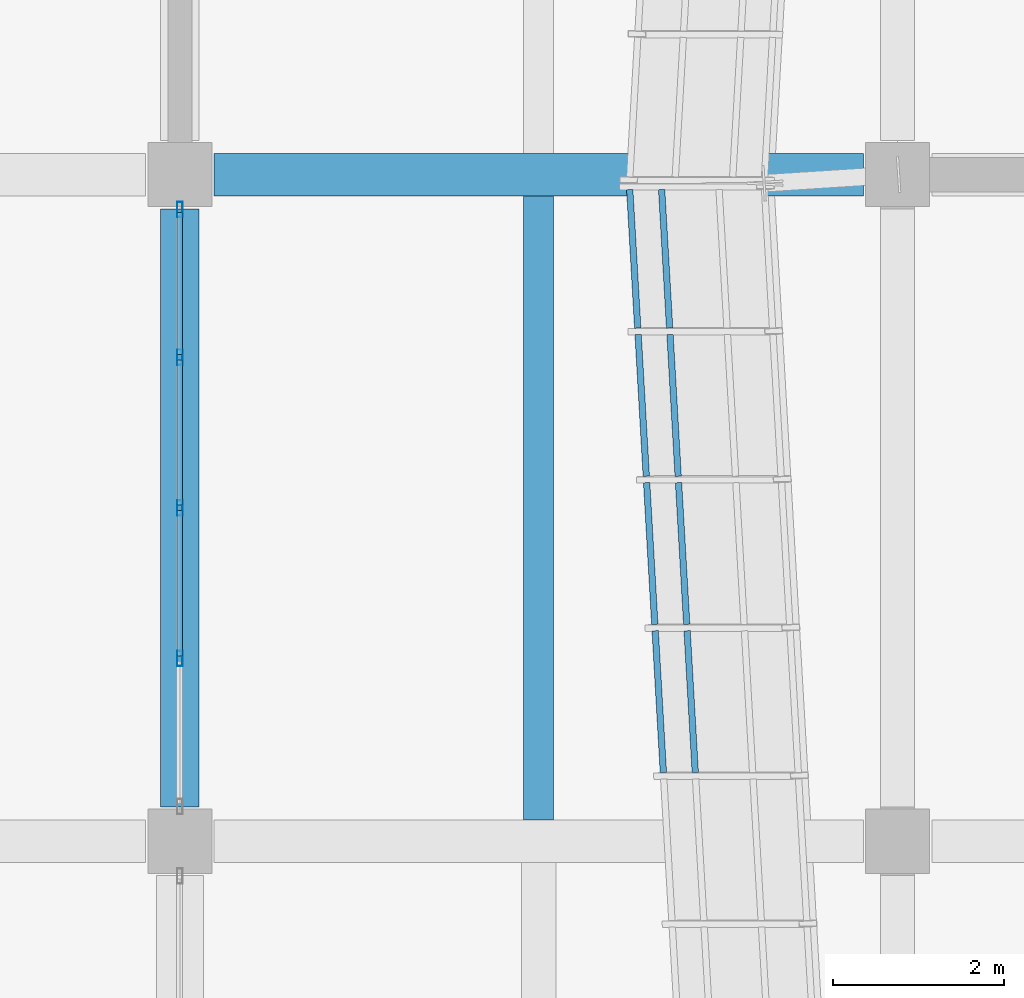
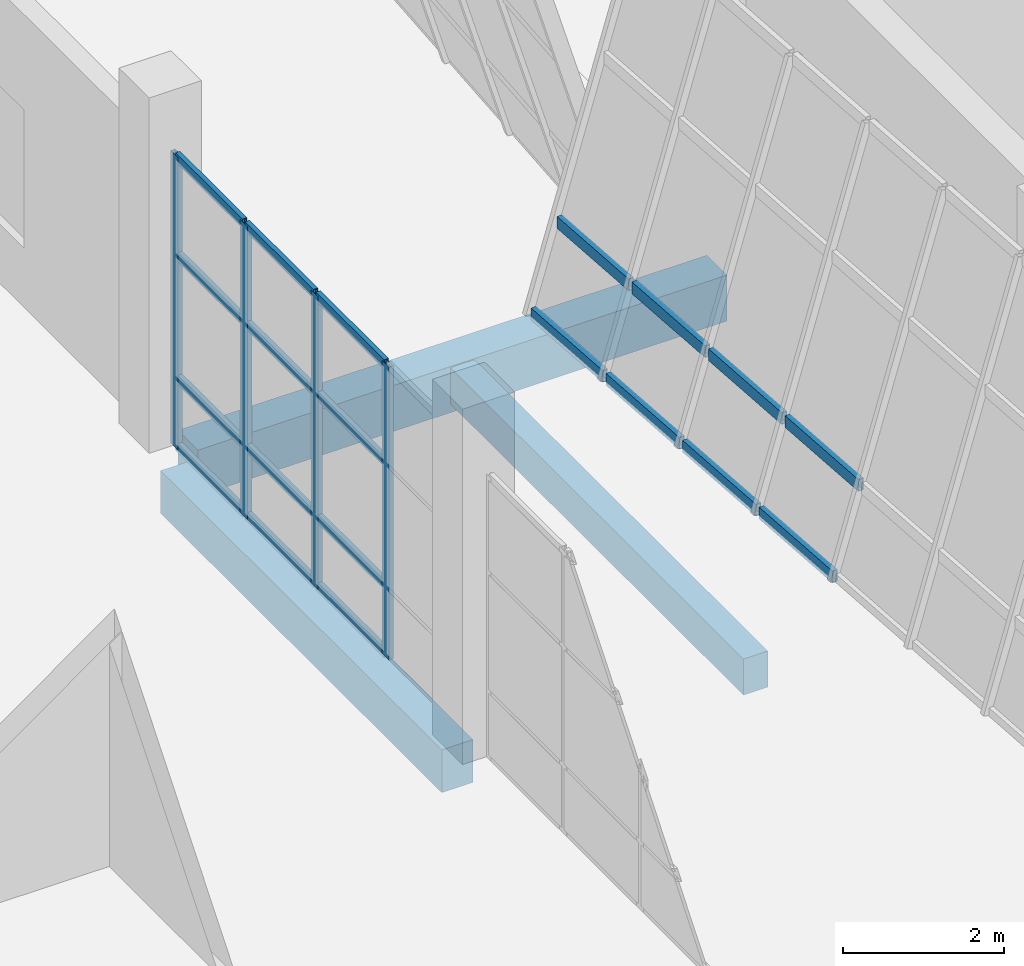
# One storey, part 20 of 78: 24 members, 3 beams, 2 elements without a shape of their own.
"""IFC4 building model written with IfcOpenShell, lengths in metres."""

import ifcopenshell
import ifcopenshell.guid

model = None  # the IFC model being written
_history = None  # IfcOwnerHistory: only IFC2X3 demands one
_inside = {}  # id of a spatial element -> (the spatial element, [elements in it])
_under = {}  # id of a project, library or spatial element -> (it, [spatial elements below it])
_declared = {}  # id of a project -> (the project, [libraries it declares])
_typed = {}  # id of a type object -> (the type object, [elements of that type])
_made_of = {}  # id of a material, layer set ... -> (it, [elements and type objects made of it])


def new_model(schema):
    """Start an empty IFC model of exactly this schema.

    Asked for "IFC4X3", IfcOpenShell would pick the latest addendum, in which some entities
    have other attributes; the version numbers below select the first issue.
    IFC2X3 requires an IfcOwnerHistory on every rooted entity: one is made here for all.
    """
    global model, _history
    if schema == "IFC4X3":
        model = ifcopenshell.file(schema_version=(4, 3, 0, 0))
    else:
        model = ifcopenshell.file(schema=schema)
    _inside.clear()
    _under.clear()
    _declared.clear()
    _typed.clear()
    _made_of.clear()
    _history = None
    if model.schema == "IFC2X3":
        org = make("IfcOrganization", Name="unknown")
        user = make(
            "IfcPersonAndOrganization",
            ThePerson=make("IfcPerson", FamilyName="unknown"),
            TheOrganization=org,
        )
        app = make(
            "IfcApplication",
            ApplicationDeveloper=org,
            Version="unknown",
            ApplicationFullName="unknown",
            ApplicationIdentifier="unknown",
        )
        _history = make(
            "IfcOwnerHistory",
            OwningUser=user,
            OwningApplication=app,
            ChangeAction="ADDED",
            CreationDate=0,
        )
    return model


def make(cls, **values):
    """One entity of the class cls with the attributes given. An attribute that is None is left unset."""
    return model.create_entity(
        cls, **{name: value for name, value in values.items() if value is not None}
    )


def rooted(cls, **values):
    """An entity with a GlobalId (a new one), such as an element, a storey or a relation."""
    return make(cls, GlobalId=ifcopenshell.guid.new(), OwnerHistory=_history, **values)


def si_unit(unit_type, name, prefix=None):
    """IfcSIUnit, for example si_unit("LENGTHUNIT", "METRE", prefix="MILLI")."""
    return make("IfcSIUnit", UnitType=unit_type, Prefix=prefix, Name=name)


def assignment(units):
    """IfcUnitAssignment: the units of a project."""
    return None if units is None else make("IfcUnitAssignment", Units=units)


def point(xyz):
    """IfcCartesianPoint."""
    return None if xyz is None else make("IfcCartesianPoint", Coordinates=xyz)


def direction(xyz):
    """IfcDirection."""
    return None if xyz is None else make("IfcDirection", DirectionRatios=xyz)


def frame(location, z_axis=None, x_axis=None):
    """IfcAxis2Placement3D, a coordinate frame: its origin and axes. An axis left out is left unset."""
    return make(
        "IfcAxis2Placement3D",
        Location=point(location),
        Axis=direction(z_axis),
        RefDirection=direction(x_axis),
    )


def frame_2d(location, x_axis=None):
    """IfcAxis2Placement2D, a coordinate frame in the plane: its origin and x axis."""
    return make(
        "IfcAxis2Placement2D", Location=point(location), RefDirection=direction(x_axis)
    )


def origin():
    """The frame at (0, 0, 0) with its axes left unset."""
    return frame((0.0, 0.0, 0.0))


def origin_2d():
    """The frame at (0, 0) in the plane with its x axis left unset."""
    return frame_2d((0.0, 0.0))


def place(relative_to, where):
    """IfcLocalPlacement: puts the frame where relative to a parent placement (None: the world)."""
    return make(
        "IfcLocalPlacement", PlacementRelTo=relative_to, RelativePlacement=where
    )


def context(
    kind, dimensions, precision=None, world=None, true_north=None, identifier=None
):
    """IfcGeometricRepresentationContext, for example the 3D "Model" context."""
    return make(
        "IfcGeometricRepresentationContext",
        ContextIdentifier=identifier,
        ContextType=kind,
        CoordinateSpaceDimension=dimensions,
        Precision=precision,
        WorldCoordinateSystem=world,
        TrueNorth=true_north,
    )


def subcontext(parent, identifier, kind, view, scale=None):
    """IfcGeometricRepresentationSubContext, for example "Body" below "Model"."""
    return make(
        "IfcGeometricRepresentationSubContext",
        ContextIdentifier=identifier,
        ContextType=kind,
        ParentContext=parent,
        TargetScale=scale,
        TargetView=view,
    )


def project(units=None, contexts=None):
    """IfcProject with its units and contexts."""
    return rooted(
        "IfcProject",
        Name="project",
        RepresentationContexts=contexts,
        UnitsInContext=assignment(units),
    )


def spatial(cls, under=None, at=None, **own):
    """A site, building, storey or space (cls), placed at a placement, below another one or the project."""
    s = rooted(cls, ObjectPlacement=at, **own)
    if under is not None:
        _under.setdefault(under.id(), (under, []))[1].append(s)
    return s


def profile(cls, at=None, kind="AREA", **sizes):
    """A parametric profile (cls). Its sizes go by their IFC names, for example OverallWidth=200.0."""
    return make(cls, ProfileType=kind, Position=at, **sizes)


def rectangle(**sizes):
    """IfcRectangleProfileDef."""
    return profile("IfcRectangleProfileDef", **sizes)


def hollow_rectangle(**sizes):
    """IfcRectangleHollowProfileDef."""
    return profile("IfcRectangleHollowProfileDef", **sizes)


def extrude(swept, where, along, depth):
    """IfcExtrudedAreaSolid: the profile swept, set in the frame where, extruded along a direction by depth."""
    return make(
        "IfcExtrudedAreaSolid",
        SweptArea=swept,
        Position=where,
        ExtrudedDirection=direction(along),
        Depth=depth,
    )


def shape(context_of_items, identifier, shape_type, items):
    """IfcShapeRepresentation: the items that make up one representation, for example the "Body"."""
    return make(
        "IfcShapeRepresentation",
        ContextOfItems=context_of_items,
        RepresentationIdentifier=identifier,
        RepresentationType=shape_type,
        Items=items,
    )


def material(Name=None, Category=None):
    """IfcMaterial."""
    return make("IfcMaterial", Name=Name, Category=Category)


def material_profile(
    of_material, cross_section, Name=None, Category=None, Priority=None
):
    """IfcMaterialProfile: a cross section and its material."""
    return make(
        "IfcMaterialProfile",
        Name=Name,
        Material=of_material,
        Profile=cross_section,
        Priority=Priority,
        Category=Category,
    )


def profile_set(profiles, Name=None, composite=None):
    """IfcMaterialProfileSet."""
    return make(
        "IfcMaterialProfileSet",
        Name=Name,
        MaterialProfiles=profiles,
        CompositeProfile=composite,
    )


def made_of(thing, what):
    """Note that an element or type object is made of a material, layer set ...; save() writes the relation."""
    if what is not None:
        _made_of.setdefault(what.id(), (what, []))[1].append(thing)
    return thing


def type_object(cls, material=None, **own):
    """A type object (cls), such as IfcWallType, which elements share."""
    return made_of(rooted(cls, **own), material)


def element(
    cls,
    number,
    at=None,
    inside=None,
    cuts=None,
    type_object=None,
    material=None,
    context=None,
    identifier="Body",
    shape_type=None,
    held_by="IfcProductDefinitionShape",
    body=None,
    shapes=None,
    **own,
):
    """One element of the class cls, such as IfcWall. Its Tag is "e" and its number.

    at: its placement. inside: the storey or other place that contains it. cuts: it is an
    opening in that element (IfcRelVoidsElement). A single representation is given by context,
    identifier, shape_type and body (its items); several are given by shapes. held_by: the class
    of the entity that holds the representations. save() writes the other relations.
    """
    e = rooted(cls, Tag="e%d" % number, ObjectPlacement=at, **own)
    if body is not None:
        shapes = [shape(context, identifier, shape_type, body)]
    if shapes is not None:
        e.Representation = make(held_by, Representations=shapes)
    if inside is not None:
        _inside.setdefault(inside.id(), (inside, []))[1].append(e)
    if cuts is not None:
        rooted(
            "IfcRelVoidsElement", RelatingBuildingElement=cuts, RelatedOpeningElement=e
        )
    if type_object is not None:
        _typed.setdefault(type_object.id(), (type_object, []))[1].append(e)
    return made_of(e, material)


def aggregate(whole, parts):
    """IfcRelAggregates: a whole, such as a stair, and the parts it consists of."""
    return rooted("IfcRelAggregates", RelatingObject=whole, RelatedObjects=parts)


def save(model, path):
    """Write the relations noted so far, then the file.

    IfcRelAggregates (storeys below a building ...), IfcRelContainedInSpatialStructure (elements
    in a storey), IfcRelDefinesByType, IfcRelAssociatesMaterial and IfcRelDeclares: one each for
    every whole, place, type object, material and project.
    """
    for whole, parts in _under.values():
        aggregate(whole, parts)
    for where, things in _inside.values():
        rooted(
            "IfcRelContainedInSpatialStructure",
            RelatedElements=things,
            RelatingStructure=where,
        )
    for kind, things in _typed.values():
        rooted("IfcRelDefinesByType", RelatedObjects=things, RelatingType=kind)
    for what, things in _made_of.values():
        rooted("IfcRelAssociatesMaterial", RelatedObjects=things, RelatingMaterial=what)
    for by, libraries in _declared.values():
        rooted("IfcRelDeclares", RelatingContext=by, RelatedDefinitions=libraries)
    model.write(path)


model = new_model("IFC4")

# Units and contexts
model_context = context("Model", 3, precision=1e-05, world=origin(), true_north=direction((0.0, 1.0)))
body_context = subcontext(model_context, "Body", "Model", "MODEL_VIEW")
ifc_project = project(units=[si_unit("LENGTHUNIT", "METRE"), si_unit("AREAUNIT", "SQUARE_METRE"), si_unit("VOLUMEUNIT", "CUBIC_METRE"), si_unit("PLANEANGLEUNIT", "RADIAN"), si_unit("MASSUNIT", "GRAM", prefix="KILO")], contexts=[model_context])

# Site, building, storey
site_placement = place(None, origin())
site = spatial("IfcSite", under=ifc_project, at=site_placement, CompositionType="ELEMENT")
building_placement = place(site_placement, origin())
building = spatial("IfcBuilding", under=site, at=building_placement, Name="Pellamere Symphony Hall", CompositionType="ELEMENT")
storey_placement = place(building_placement, origin())
storey = spatial("IfcBuildingStorey", under=building, at=storey_placement, Name="L00", CompositionType="ELEMENT", Elevation=0.0)

# Curtain wall, members
ifc_material_1 = material(Name="Thermally Broken Anodised Aluminium 6063-T6 Curtain Wall", Category="aluminium")
curtain_wall_type_1 = type_object("IfcCurtainWallType", Name="Curtain Wall CW-04 (Chamber Music Lobby Curtain Wall)", PredefinedType="NOTDEFINED", material=ifc_material_1)
curtain_wall_1_placement = place(storey_placement, origin())
curtain_wall_1 = element("IfcCurtainWall", 1, at=curtain_wall_1_placement, inside=storey, type_object=curtain_wall_type_1, Name="Chamber Forecourt East Curtain Wall (L00 Bay 3)", PredefinedType="NOTDEFINED")
ifc_material_2 = material(Name="Anodised Architectural Aluminium 6063-T6", Category="aluminium")
ifc_material_profile_1 = material_profile(ifc_material_2, hollow_rectangle(XDim=0.06494140625, YDim=0.179931640625, WallThickness=0.00390625, at=origin_2d()), Name="ALU-M65X180X4")
ifc_profile_set_1 = profile_set([ifc_material_profile_1], Name="Anodised Architectural Aluminium 6063-T6")
member_type_1 = type_object("IfcMemberType", Name="Curtain Wall Mullion ML-02 ALU-M65X180X4", PredefinedType="MULLION", material=ifc_profile_set_1)
member_1_placement = place(storey_placement, frame((42.0, 40.53759765625, 0.0), z_axis=(0.0, 0.0, 1.0), x_axis=(-1.0, 0.0, 0.0)))
member_1 = element("IfcMember", 2, at=member_1_placement, type_object=member_type_1, Name="CW4E-111 crystal mullion 2", PredefinedType="MULLION", context=body_context, shape_type="SweptSolid", body=[
    extrude(hollow_rectangle(XDim=0.06494140625, YDim=0.179931640625, WallThickness=0.00390625, at=origin_2d()), origin(), (0.0, 0.0, 1.0), 4.449951171875),
])
member_2_placement = place(storey_placement, frame((42.0, 42.300048828125, 0.0), z_axis=(0.0, 0.0, 1.0), x_axis=(-1.0, 0.0, 0.0)))
member_2 = element("IfcMember", 3, at=member_2_placement, type_object=member_type_1, Name="CW4E-111 crystal mullion 3", PredefinedType="MULLION", context=body_context, shape_type="SweptSolid", body=[
    extrude(hollow_rectangle(XDim=0.06494140625, YDim=0.179931640625, WallThickness=0.00390625, at=origin_2d()), origin(), (0.0, 0.0, 1.0), 4.449951171875),
])
member_3_placement = place(storey_placement, frame((42.0, 44.0625, 0.0), z_axis=(0.0, 0.0, 1.0), x_axis=(-1.0, 0.0, 0.0)))
member_3 = element("IfcMember", 4, at=member_3_placement, type_object=member_type_1, Name="CW4E-111 crystal mullion 4", PredefinedType="MULLION", context=body_context, shape_type="SweptSolid", body=[
    extrude(hollow_rectangle(XDim=0.06494140625, YDim=0.179931640625, WallThickness=0.00390625, at=origin_2d()), origin(), (0.0, 0.0, 1.0), 4.449951171875),
])
member_4_placement = place(storey_placement, frame((42.0, 45.79248046875, 0.0), z_axis=(0.0, 0.0, 1.0), x_axis=(-1.0, 0.0, 0.0)))
member_4 = element("IfcMember", 5, at=member_4_placement, type_object=member_type_1, Name="CW4E-111 crystal mullion 5", PredefinedType="MULLION", context=body_context, shape_type="SweptSolid", body=[
    extrude(hollow_rectangle(XDim=0.06494140625, YDim=0.179931640625, WallThickness=0.00390625, at=origin_2d()), origin(), (0.0, 0.0, 1.0), 4.449951171875),
])

curtain_wall_type_2 = type_object("IfcCurtainWallType", Name="Curtain Wall CW-01 (Tilted Faceted Crystal Low-Iron Curtain Wall)", PredefinedType="NOTDEFINED", material=ifc_material_1)
curtain_wall_2_placement = place(storey_placement, origin())
curtain_wall_2 = element("IfcCurtainWall", 6, at=curtain_wall_2_placement, inside=storey, type_object=curtain_wall_type_2, Name="Crystal Faceted Curtain Wall CW-CR18 (L00)", PredefinedType="NOTDEFINED")
ifc_material_profile_2 = material_profile(ifc_material_2, hollow_rectangle(XDim=0.074951171875, YDim=0.179931640625, WallThickness=0.0048828125, at=origin_2d()), Name="ALU-T75X180X5")
ifc_profile_set_2 = profile_set([ifc_material_profile_2], Name="Anodised Architectural Aluminium 6063-T6")
member_type_2 = type_object("IfcMemberType", Name="Curtain Wall Transom TR-01 ALU-T75X180X5", PredefinedType="USERDEFINED", material=ifc_profile_set_2)
member_5_placement = place(storey_placement, frame((47.265380859375, 46.025146484375, 0.035888671875), z_axis=(0.057585007883, -0.99834060664, 0.0), x_axis=(0.99834060664, 0.057585007883, 0.0)))
member_5 = element("IfcMember", 7, at=member_5_placement, type_object=member_type_2, Name="CW1-052 crystal transom 1.1", ObjectType="TRANSOM", PredefinedType="USERDEFINED", context=body_context, shape_type="SweptSolid", body=[
    extrude(hollow_rectangle(XDim=0.074951171875, YDim=0.179931640625, WallThickness=0.0048828125, at=origin_2d()), origin(), (0.0, 0.0, 1.0), 1.623779296875),
])
member_6_placement = place(storey_placement, frame((47.638671875, 46.025146484375, 1.2958984375), z_axis=(0.057585007883, -0.99834060664, 0.0), x_axis=(0.99834060664, 0.057585007883, 0.0)))
member_6 = element("IfcMember", 8, at=member_6_placement, type_object=member_type_2, Name="CW1-052 crystal transom 1.2", ObjectType="TRANSOM", PredefinedType="USERDEFINED", context=body_context, shape_type="SweptSolid", body=[
    extrude(hollow_rectangle(XDim=0.074951171875, YDim=0.179931640625, WallThickness=0.0048828125, at=origin_2d()), origin(), (0.0, 0.0, 1.0), 1.623779296875),
])
member_7_placement = place(storey_placement, frame((47.36328125, 44.329345703125, 0.035888671875), z_axis=(0.057602168051, -0.998339616682, 0.0), x_axis=(0.998339616682, 0.057602168051, 0.0)))
member_7 = element("IfcMember", 9, at=member_7_placement, type_object=member_type_2, Name="CW1-052 crystal transom 2.1", ObjectType="TRANSOM", PredefinedType="USERDEFINED", context=body_context, shape_type="SweptSolid", body=[
    extrude(hollow_rectangle(XDim=0.074951171875, YDim=0.179931640625, WallThickness=0.0048828125, at=origin_2d()), origin(), (0.0, 0.0, 1.0), 1.661376953125),
])
member_8_placement = place(storey_placement, frame((47.736572265625, 44.329345703125, 1.2958984375), z_axis=(0.05745570945, -0.998348056267, 0.0), x_axis=(0.998348056267, 0.05745570945, 0.0)))
member_8 = element("IfcMember", 10, at=member_8_placement, type_object=member_type_2, Name="CW1-052 crystal transom 2.2", ObjectType="TRANSOM", PredefinedType="USERDEFINED", context=body_context, shape_type="SweptSolid", body=[
    extrude(hollow_rectangle(XDim=0.074951171875, YDim=0.179931640625, WallThickness=0.0048828125, at=origin_2d()), origin(), (0.0, 0.0, 1.0), 1.661376953125),
])
member_9_placement = place(storey_placement, frame((47.463134765625, 42.595947265625, 0.035888671875), z_axis=(0.057610619545, -0.998339129012, 0.0), x_axis=(0.998339129012, 0.057610619545, 0.0)))
member_9 = element("IfcMember", 11, at=member_9_placement, type_object=member_type_2, Name="CW1-052 crystal transom 3.1", ObjectType="TRANSOM", PredefinedType="USERDEFINED", context=body_context, shape_type="SweptSolid", body=[
    extrude(hollow_rectangle(XDim=0.074951171875, YDim=0.179931640625, WallThickness=0.0048828125, at=origin_2d()), origin(), (0.0, 0.0, 1.0), 1.6611328125),
])
member_10_placement = place(storey_placement, frame((47.83642578125, 42.595947265625, 1.2958984375), z_axis=(0.057610619545, -0.998339129012, 0.0), x_axis=(0.998339129012, 0.057610619545, 0.0)))
member_10 = element("IfcMember", 12, at=member_10_placement, type_object=member_type_2, Name="CW1-052 crystal transom 3.2", ObjectType="TRANSOM", PredefinedType="USERDEFINED", context=body_context, shape_type="SweptSolid", body=[
    extrude(hollow_rectangle(XDim=0.074951171875, YDim=0.179931640625, WallThickness=0.0048828125, at=origin_2d()), origin(), (0.0, 0.0, 1.0), 1.6611328125),
])
member_11_placement = place(storey_placement, frame((47.563232421875, 40.862548828125, 0.035888671875), z_axis=(0.057610619545, -0.998339129012, 0.0), x_axis=(0.998339129012, 0.057610619545, 0.0)))
member_11 = element("IfcMember", 13, at=member_11_placement, type_object=member_type_2, Name="CW1-052 crystal transom 4.1", ObjectType="TRANSOM", PredefinedType="USERDEFINED", context=body_context, shape_type="SweptSolid", body=[
    extrude(hollow_rectangle(XDim=0.074951171875, YDim=0.179931640625, WallThickness=0.0048828125, at=origin_2d()), origin(), (0.0, 0.0, 1.0), 1.6611328125),
])
member_12_placement = place(storey_placement, frame((47.9365234375, 40.862548828125, 1.2958984375), z_axis=(0.057610619545, -0.998339129012, 0.0), x_axis=(0.998339129012, 0.057610619545, 0.0)))
member_12 = element("IfcMember", 14, at=member_12_placement, type_object=member_type_2, Name="CW1-052 crystal transom 4.2", ObjectType="TRANSOM", PredefinedType="USERDEFINED", context=body_context, shape_type="SweptSolid", body=[
    extrude(hollow_rectangle(XDim=0.074951171875, YDim=0.179931640625, WallThickness=0.0048828125, at=origin_2d()), origin(), (0.0, 0.0, 1.0), 1.6611328125),
])
aggregate(curtain_wall_2, [member_5, member_6, member_7, member_8, member_9, member_10, member_11, member_12])

# Member
ifc_material_profile_3 = material_profile(ifc_material_2, hollow_rectangle(XDim=0.06494140625, YDim=0.139892578125, WallThickness=0.00390625, at=origin_2d()), Name="ALU-T65X140X4")
ifc_profile_set_3 = profile_set([ifc_material_profile_3], Name="Anodised Architectural Aluminium 6063-T6")
member_type_3 = type_object("IfcMemberType", Name="Curtain Wall Transom TR-02 ALU-T65X140X4", PredefinedType="USERDEFINED", material=ifc_profile_set_3)
member_13_placement = place(storey_placement, frame((42.0, 40.570068359375, 0.032470703125), z_axis=(0.0, 1.0, 0.0), x_axis=(-1.0, 0.0, 0.0)))
member_13 = element("IfcMember", 15, at=member_13_placement, type_object=member_type_3, Name="CW4E-111 crystal transom 2.1", ObjectType="TRANSOM", PredefinedType="USERDEFINED", context=body_context, shape_type="SweptSolid", body=[
    extrude(hollow_rectangle(XDim=0.06494140625, YDim=0.139892578125, WallThickness=0.00390625, at=origin_2d()), origin(), (0.0, 0.0, 1.0), 1.697509765625),
])

member_14_placement = place(storey_placement, frame((42.0, 40.570068359375, 1.068115234375), z_axis=(0.0, 1.0, 0.0), x_axis=(-1.0, 0.0, 0.0)))
member_14 = element("IfcMember", 16, at=member_14_placement, type_object=member_type_3, Name="CW4E-111 crystal transom 2.2", ObjectType="TRANSOM", PredefinedType="USERDEFINED", context=body_context, shape_type="SweptSolid", body=[
    extrude(hollow_rectangle(XDim=0.06494140625, YDim=0.139892578125, WallThickness=0.00390625, at=origin_2d()), origin(), (0.0, 0.0, 1.0), 1.697509765625),
])

member_15_placement = place(storey_placement, frame((42.0, 40.570068359375, 2.93701171875), z_axis=(0.0, 1.0, 0.0), x_axis=(-1.0, 0.0, 0.0)))
member_15 = element("IfcMember", 17, at=member_15_placement, type_object=member_type_3, Name="CW4E-111 crystal transom 2.3", ObjectType="TRANSOM", PredefinedType="USERDEFINED", context=body_context, shape_type="SweptSolid", body=[
    extrude(hollow_rectangle(XDim=0.06494140625, YDim=0.139892578125, WallThickness=0.00390625, at=origin_2d()), origin(), (0.0, 0.0, 1.0), 1.697509765625),
])

member_16_placement = place(storey_placement, frame((42.0, 40.570068359375, 4.41748046875), z_axis=(0.0, 1.0, 0.0), x_axis=(-1.0, 0.0, 0.0)))
member_16 = element("IfcMember", 18, at=member_16_placement, type_object=member_type_3, Name="CW4E-111 crystal transom 2.4", ObjectType="TRANSOM", PredefinedType="USERDEFINED", context=body_context, shape_type="SweptSolid", body=[
    extrude(hollow_rectangle(XDim=0.06494140625, YDim=0.139892578125, WallThickness=0.00390625, at=origin_2d()), origin(), (0.0, 0.0, 1.0), 1.697509765625),
])

member_17_placement = place(storey_placement, frame((42.0, 42.33251953125, 0.032470703125), z_axis=(0.0, 1.0, 0.0), x_axis=(-1.0, 0.0, 0.0)))
member_17 = element("IfcMember", 19, at=member_17_placement, type_object=member_type_3, Name="CW4E-111 crystal transom 3.1", ObjectType="TRANSOM", PredefinedType="USERDEFINED", context=body_context, shape_type="SweptSolid", body=[
    extrude(hollow_rectangle(XDim=0.06494140625, YDim=0.139892578125, WallThickness=0.00390625, at=origin_2d()), origin(), (0.0, 0.0, 1.0), 1.697509765625),
])

member_18_placement = place(storey_placement, frame((42.0, 42.33251953125, 1.068115234375), z_axis=(0.0, 1.0, 0.0), x_axis=(-1.0, 0.0, 0.0)))
member_18 = element("IfcMember", 20, at=member_18_placement, type_object=member_type_3, Name="CW4E-111 crystal transom 3.2", ObjectType="TRANSOM", PredefinedType="USERDEFINED", context=body_context, shape_type="SweptSolid", body=[
    extrude(hollow_rectangle(XDim=0.06494140625, YDim=0.139892578125, WallThickness=0.00390625, at=origin_2d()), origin(), (0.0, 0.0, 1.0), 1.697509765625),
])

member_19_placement = place(storey_placement, frame((42.0, 42.33251953125, 2.93701171875), z_axis=(0.0, 1.0, 0.0), x_axis=(-1.0, 0.0, 0.0)))
member_19 = element("IfcMember", 21, at=member_19_placement, type_object=member_type_3, Name="CW4E-111 crystal transom 3.3", ObjectType="TRANSOM", PredefinedType="USERDEFINED", context=body_context, shape_type="SweptSolid", body=[
    extrude(hollow_rectangle(XDim=0.06494140625, YDim=0.139892578125, WallThickness=0.00390625, at=origin_2d()), origin(), (0.0, 0.0, 1.0), 1.697509765625),
])

member_20_placement = place(storey_placement, frame((42.0, 42.33251953125, 4.41748046875), z_axis=(0.0, 1.0, 0.0), x_axis=(-1.0, 0.0, 0.0)))
member_20 = element("IfcMember", 22, at=member_20_placement, type_object=member_type_3, Name="CW4E-111 crystal transom 3.4", ObjectType="TRANSOM", PredefinedType="USERDEFINED", context=body_context, shape_type="SweptSolid", body=[
    extrude(hollow_rectangle(XDim=0.06494140625, YDim=0.139892578125, WallThickness=0.00390625, at=origin_2d()), origin(), (0.0, 0.0, 1.0), 1.697509765625),
])

member_21_placement = place(storey_placement, frame((42.0, 44.094970703125, 0.032470703125), z_axis=(0.0, 1.0, 0.0), x_axis=(-1.0, 0.0, 0.0)))
member_21 = element("IfcMember", 23, at=member_21_placement, type_object=member_type_3, Name="CW4E-111 crystal transom 4.1", ObjectType="TRANSOM", PredefinedType="USERDEFINED", context=body_context, shape_type="SweptSolid", body=[
    extrude(hollow_rectangle(XDim=0.06494140625, YDim=0.139892578125, WallThickness=0.00390625, at=origin_2d()), origin(), (0.0, 0.0, 1.0), 1.6650390625),
])

member_22_placement = place(storey_placement, frame((42.0, 44.094970703125, 1.068115234375), z_axis=(0.0, 1.0, 0.0), x_axis=(-1.0, 0.0, 0.0)))
member_22 = element("IfcMember", 24, at=member_22_placement, type_object=member_type_3, Name="CW4E-111 crystal transom 4.2", ObjectType="TRANSOM", PredefinedType="USERDEFINED", context=body_context, shape_type="SweptSolid", body=[
    extrude(hollow_rectangle(XDim=0.06494140625, YDim=0.139892578125, WallThickness=0.00390625, at=origin_2d()), origin(), (0.0, 0.0, 1.0), 1.6650390625),
])

member_23_placement = place(storey_placement, frame((42.0, 44.094970703125, 2.93701171875), z_axis=(0.0, 1.0, 0.0), x_axis=(-1.0, 0.0, 0.0)))
member_23 = element("IfcMember", 25, at=member_23_placement, type_object=member_type_3, Name="CW4E-111 crystal transom 4.3", ObjectType="TRANSOM", PredefinedType="USERDEFINED", context=body_context, shape_type="SweptSolid", body=[
    extrude(hollow_rectangle(XDim=0.06494140625, YDim=0.139892578125, WallThickness=0.00390625, at=origin_2d()), origin(), (0.0, 0.0, 1.0), 1.6650390625),
])

member_24_placement = place(storey_placement, frame((42.0, 44.094970703125, 4.41748046875), z_axis=(0.0, 1.0, 0.0), x_axis=(-1.0, 0.0, 0.0)))
member_24 = element("IfcMember", 26, at=member_24_placement, type_object=member_type_3, Name="CW4E-111 crystal transom 4.4", ObjectType="TRANSOM", PredefinedType="USERDEFINED", context=body_context, shape_type="SweptSolid", body=[
    extrude(hollow_rectangle(XDim=0.06494140625, YDim=0.139892578125, WallThickness=0.00390625, at=origin_2d()), origin(), (0.0, 0.0, 1.0), 1.6650390625),
])

aggregate(curtain_wall_1, [member_1, member_2, member_3, member_4, member_13, member_14, member_15, member_16, member_17, member_18, member_19, member_20, member_21, member_22, member_23, member_24])

# Beams
ifc_material_3 = material(Name="Concrete 40 MPa", Category="concrete")
ifc_material_profile_4 = material_profile(ifc_material_3, rectangle(XDim=0.5, YDim=0.699951171875, at=origin_2d()), Name="RC 500x700")
ifc_profile_set_4 = profile_set([ifc_material_profile_4], Name="Concrete 40 MPa")
beam_type_1 = type_object("IfcBeamType", Name="RC CB-07 500x700", PredefinedType="BEAM", material=ifc_profile_set_4)
beam_1_placement = place(storey_placement, frame((42.39990234375, 46.199951171875, -0.64990234375), z_axis=(1.0, 0.0, 0.0), x_axis=(0.0, 1.0, 0.0)))
element("IfcBeam", 27, at=beam_1_placement, inside=storey, type_object=beam_type_1, Name="Girder CB-07-X0094 (L00)", PredefinedType="BEAM", context=body_context, shape_type="SweptSolid", body=[
    extrude(rectangle(XDim=0.5, YDim=0.699951171875, at=origin_2d()), origin(), (0.0, 0.0, 1.0), 7.60009765625),
])
ifc_material_profile_5 = material_profile(ifc_material_3, rectangle(XDim=0.449951171875, YDim=0.64990234375, at=origin_2d()), Name="RC 450x650")
ifc_profile_set_5 = profile_set([ifc_material_profile_5], Name="Concrete 40 MPa")
beam_type_2 = type_object("IfcBeamType", Name="RC CB-08 450x650", PredefinedType="BEAM", material=ifc_profile_set_5)
beam_2_placement = place(storey_placement, frame((42.0, 38.800048828125, -0.625), z_axis=(0.0, 1.0, 0.0), x_axis=(-1.0, 0.0, 0.0)))
element("IfcBeam", 28, at=beam_2_placement, inside=storey, type_object=beam_type_2, Name="Girder CB-08-Y0231 (L00)", PredefinedType="BEAM", context=body_context, shape_type="SweptSolid", body=[
    extrude(rectangle(XDim=0.449951171875, YDim=0.64990234375, at=origin_2d()), origin(), (0.0, 0.0, 1.0), 7.0),
])
ifc_material_4 = material(Name="Concrete 35 MPa", Category="concrete")
ifc_material_profile_6 = material_profile(ifc_material_4, rectangle(XDim=0.35009765625, YDim=0.550048828125, at=origin_2d()), Name="RC 350x550")
ifc_profile_set_6 = profile_set([ifc_material_profile_6], Name="Concrete 35 MPa")
beam_type_3 = type_object("IfcBeamType", Name="RC CB-10 350x550", PredefinedType="BEAM", material=ifc_profile_set_6)
beam_3_placement = place(storey_placement, frame((46.199951171875, 38.64990234375, -0.590087890625), z_axis=(0.0, 1.0, 0.0), x_axis=(-1.0, 0.0, 0.0)))
element("IfcBeam", 29, at=beam_3_placement, inside=storey, type_object=beam_type_3, Name="Secondary Floor Beam CB-10-M0505 (L00)", PredefinedType="BEAM", context=body_context, shape_type="SweptSolid", body=[
    extrude(rectangle(XDim=0.35009765625, YDim=0.550048828125, at=origin_2d()), origin(), (0.0, 0.0, 1.0), 7.300048828125),
])

save(model, "model.ifc")
